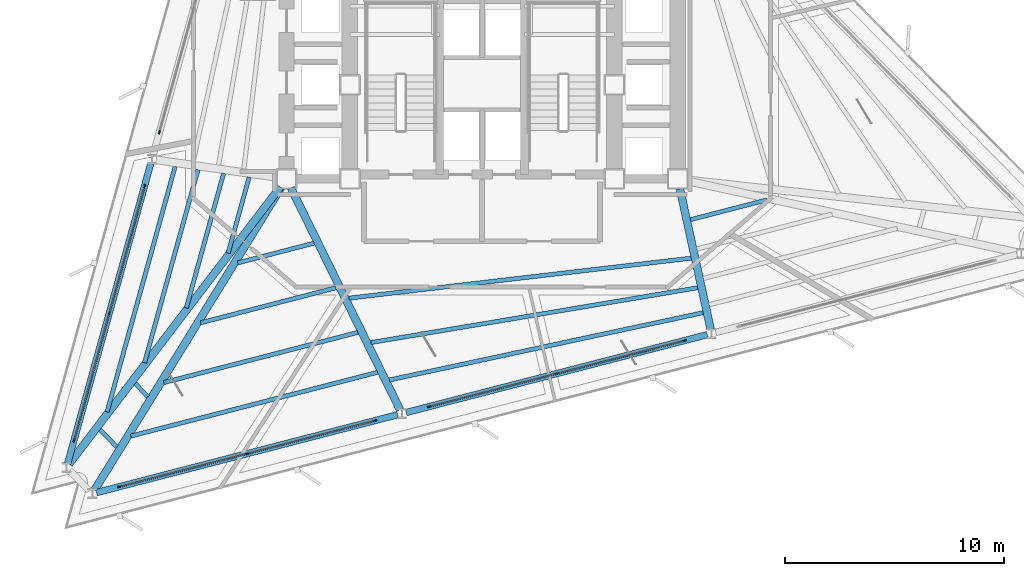
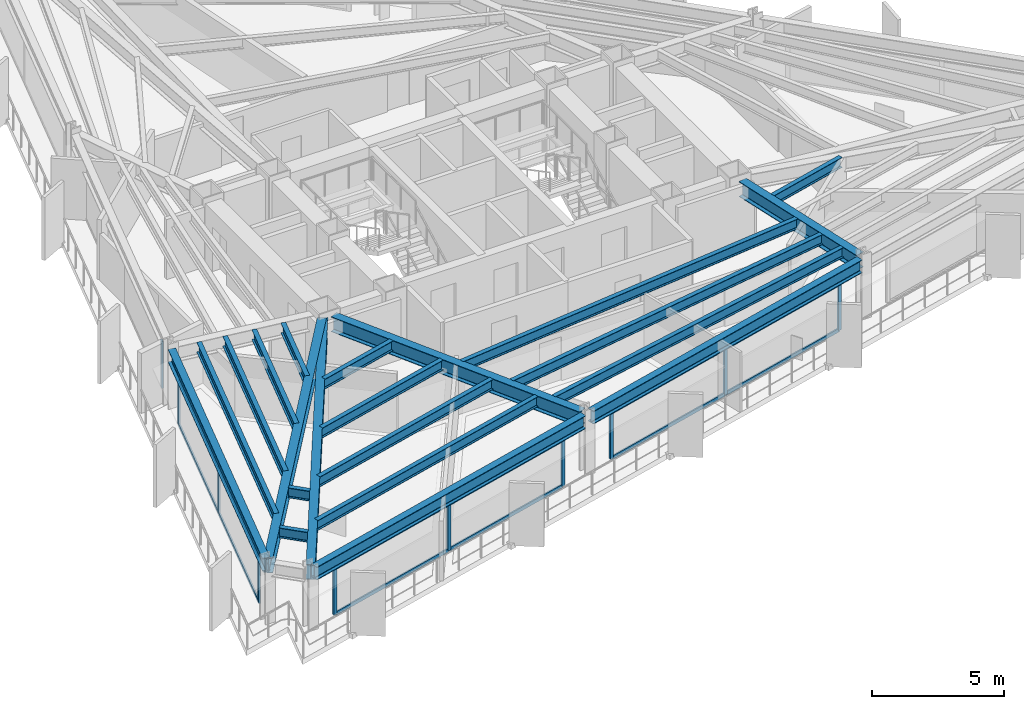
# One storey, part 2 of 11: 22 members, 21 beams, 4 elements without a shape of their own.
"""IFC4 building model written with IfcOpenShell, lengths in metres."""

from ifc_helpers import new_model, si_unit, direction, frame, origin, origin_2d, place, context, subcontext, project, spatial, rectangle, i_section, extrude, material, layer, layer_set, material_profile, profile_set, type_object, element, aggregate, save


model = new_model("IFC4")

# Units and contexts
model_context = context("Model", 3, precision=1e-05, world=origin(), true_north=direction((0.0, 1.0)))
body_context = subcontext(model_context, "Body", "Model", "MODEL_VIEW")
ifc_project = project(units=[si_unit("LENGTHUNIT", "METRE"), si_unit("AREAUNIT", "SQUARE_METRE"), si_unit("VOLUMEUNIT", "CUBIC_METRE"), si_unit("PLANEANGLEUNIT", "RADIAN"), si_unit("MASSUNIT", "GRAM", prefix="KILO")], contexts=[model_context])

# Site, building, storey
site_placement = place(None, origin())
site = spatial("IfcSite", under=ifc_project, at=site_placement, CompositionType="ELEMENT")
building_placement = place(site_placement, origin())
building = spatial("IfcBuilding", under=site, at=building_placement, Name="Rocaltana Carrier Exchange", CompositionType="ELEMENT")
storey_placement = place(building_placement, frame((0.0, 0.0, 82.56005859375)))
storey = spatial("IfcBuildingStorey", under=building, at=storey_placement, Name="L25", CompositionType="ELEMENT", Elevation=82.56005859375)

# Curtain wall, member
ifc_material_1 = material(Name="Aluminium 6063-T6", Category="aluminium")
ifc_layer = layer(ifc_material_1, 0.1650390625)
ifc_layer_set = layer_set([ifc_layer], Name="Aluminium 6063-T6")
curtain_wall_type = type_object("IfcCurtainWallType", Name="Lower-Mid Stepped Curtain Wall CW-02", PredefinedType="NOTDEFINED", material=ifc_layer_set)
curtain_wall_1_placement = place(storey_placement, origin())
curtain_wall_1 = element("IfcCurtainWall", 1, at=curtain_wall_1_placement, inside=storey, type_object=curtain_wall_type, Name="L25 CW-02 Run CW-L25-F2S2", PredefinedType="NOTDEFINED")
ifc_material_2 = material(Name="Aluminium 6063-T6", Category="aluminium")
ifc_material_profile_1 = material_profile(ifc_material_2, rectangle(XDim=0.06494140625, YDim=0.1650390625, at=origin_2d()), Name="AL-65X165")
ifc_profile_set_1 = profile_set([ifc_material_profile_1], Name="Aluminium 6063-T6")
member_type_1 = type_object("IfcMemberType", Name="CW-02 Mullion AL-65X165", PredefinedType="MULLION", material=ifc_profile_set_1)
member_1_placement = place(storey_placement, frame((-14.761962890625, -2.16796875, 0.0), z_axis=(0.0, 0.0, 1.0), x_axis=(0.963630586954, -0.267237893807, 0.0)))
member_1 = element("IfcMember", 2, at=member_1_placement, type_object=member_type_1, Name="CW-02 mullion 3", PredefinedType="MULLION", context=body_context, shape_type="SweptSolid", body=[
    extrude(rectangle(XDim=0.06494140625, YDim=0.1650390625, at=origin_2d()), origin(), (0.0, 0.0, 1.0), 2.16796875),
])
aggregate(curtain_wall_1, [member_1])

# Curtain wall, members
curtain_wall_2_placement = place(storey_placement, origin())
curtain_wall_2 = element("IfcCurtainWall", 3, at=curtain_wall_2_placement, inside=storey, type_object=curtain_wall_type, Name="L25 CW-02 Run CW-L25-F2S3", PredefinedType="NOTDEFINED")
member_2_placement = place(storey_placement, frame((-15.447265625, -4.6396484375, 0.0), z_axis=(0.0, 0.0, 1.0), x_axis=(0.963629053146, -0.267243424491, 0.0)))
member_2 = element("IfcMember", 4, at=member_2_placement, type_object=member_type_1, Name="CW-02 mullion 1", PredefinedType="MULLION", context=body_context, shape_type="SweptSolid", body=[
    extrude(rectangle(XDim=0.06494140625, YDim=0.1650390625, at=origin_2d()), origin(), (0.0, 0.0, 1.0), 2.16796875),
])
member_3_placement = place(storey_placement, frame((-17.059814453125, -10.45458984375, 0.0), z_axis=(0.0, 0.0, 1.0), x_axis=(0.963629053146, -0.267243424491, 0.0)))
member_3 = element("IfcMember", 5, at=member_3_placement, type_object=member_type_1, Name="CW-02 mullion 2", PredefinedType="MULLION", context=body_context, shape_type="SweptSolid", body=[
    extrude(rectangle(XDim=0.06494140625, YDim=0.1650390625, at=origin_2d()), origin(), (0.0, 0.0, 1.0), 2.16796875),
])
member_4_placement = place(storey_placement, frame((-18.672607421875, -16.269287109375, 0.0), z_axis=(0.0, 0.0, 1.0), x_axis=(0.963629053146, -0.267243424491, 0.0)))
member_4 = element("IfcMember", 6, at=member_4_placement, type_object=member_type_1, Name="CW-02 mullion 3", PredefinedType="MULLION", context=body_context, shape_type="SweptSolid", body=[
    extrude(rectangle(XDim=0.06494140625, YDim=0.1650390625, at=origin_2d()), origin(), (0.0, 0.0, 1.0), 2.16796875),
])

curtain_wall_3_placement = place(storey_placement, origin())
curtain_wall_3 = element("IfcCurtainWall", 7, at=curtain_wall_3_placement, inside=storey, type_object=curtain_wall_type, Name="L25 CW-02 Run CW-L25-F3S1", PredefinedType="NOTDEFINED")
member_5_placement = place(storey_placement, frame((-16.592529296875, -18.3857421875, 0.0), z_axis=(0.0, 0.0, 1.0), x_axis=(-0.250377760692, 0.968148220548, 0.0)))
member_5 = element("IfcMember", 8, at=member_5_placement, type_object=member_type_1, Name="CW-02 mullion 1", PredefinedType="MULLION", context=body_context, shape_type="SweptSolid", body=[
    extrude(rectangle(XDim=0.06494140625, YDim=0.1650390625, at=origin_2d()), origin(), (0.0, 0.0, 1.0), 2.16796875),
])
member_6_placement = place(storey_placement, frame((-10.75048828125, -16.874755859375, 0.0), z_axis=(0.0, 0.0, 1.0), x_axis=(-0.250377760692, 0.968148220548, 0.0)))
member_6 = element("IfcMember", 9, at=member_6_placement, type_object=member_type_1, Name="CW-02 mullion 2", PredefinedType="MULLION", context=body_context, shape_type="SweptSolid", body=[
    extrude(rectangle(XDim=0.06494140625, YDim=0.1650390625, at=origin_2d()), origin(), (0.0, 0.0, 1.0), 2.16796875),
])
member_7_placement = place(storey_placement, frame((-4.90869140625, -15.364013671875, 0.0), z_axis=(0.0, 0.0, 1.0), x_axis=(-0.250377760692, 0.968148220548, 0.0)))
member_7 = element("IfcMember", 10, at=member_7_placement, type_object=member_type_1, Name="CW-02 mullion 3", PredefinedType="MULLION", context=body_context, shape_type="SweptSolid", body=[
    extrude(rectangle(XDim=0.06494140625, YDim=0.1650390625, at=origin_2d()), origin(), (0.0, 0.0, 1.0), 2.16796875),
])

curtain_wall_4_placement = place(storey_placement, origin())
curtain_wall_4 = element("IfcCurtainWall", 11, at=curtain_wall_4_placement, inside=storey, type_object=curtain_wall_type, Name="L25 CW-02 Run CW-L25-F3S2", PredefinedType="NOTDEFINED")
member_8_placement = place(storey_placement, frame((-2.42529296875, -14.7216796875, 0.0), z_axis=(0.0, 0.0, 1.0), x_axis=(-0.250377760692, 0.968148220548, 0.0)))
member_8 = element("IfcMember", 12, at=member_8_placement, type_object=member_type_1, Name="CW-02 mullion 1", PredefinedType="MULLION", context=body_context, shape_type="SweptSolid", body=[
    extrude(rectangle(XDim=0.06494140625, YDim=0.1650390625, at=origin_2d()), origin(), (0.0, 0.0, 1.0), 2.16796875),
])
member_9_placement = place(storey_placement, frame((3.41650390625, -13.2109375, 0.0), z_axis=(0.0, 0.0, 1.0), x_axis=(-0.250377760692, 0.968148220548, 0.0)))
member_9 = element("IfcMember", 13, at=member_9_placement, type_object=member_type_1, Name="CW-02 mullion 2", PredefinedType="MULLION", context=body_context, shape_type="SweptSolid", body=[
    extrude(rectangle(XDim=0.06494140625, YDim=0.1650390625, at=origin_2d()), origin(), (0.0, 0.0, 1.0), 2.16796875),
])
member_10_placement = place(storey_placement, frame((9.258544921875, -11.7001953125, 0.0), z_axis=(0.0, 0.0, 1.0), x_axis=(-0.250377760692, 0.968148220548, 0.0)))
member_10 = element("IfcMember", 14, at=member_10_placement, type_object=member_type_1, Name="CW-02 mullion 3", PredefinedType="MULLION", context=body_context, shape_type="SweptSolid", body=[
    extrude(rectangle(XDim=0.06494140625, YDim=0.1650390625, at=origin_2d()), origin(), (0.0, 0.0, 1.0), 2.16796875),
])

# Member
ifc_material_3 = material(Name="Aluminium 6063-T6", Category="aluminium")
ifc_material_profile_2 = material_profile(ifc_material_3, rectangle(XDim=0.06494140625, YDim=0.1650390625, at=origin_2d()), Name="AL-65X165")
ifc_profile_set_2 = profile_set([ifc_material_profile_2], Name="Aluminium 6063-T6")
member_type_2 = type_object("IfcMemberType", Name="CW-02 Transom AL-65X165", PredefinedType="USERDEFINED", material=ifc_profile_set_2)
member_11_placement = place(storey_placement, frame((-15.4560546875, -4.671142578125, 0.032470703125), z_axis=(-0.26724725359, -0.963627991213, 0.0), x_axis=(0.963627991213, -0.26724725359, 0.0)))
member_11 = element("IfcMember", 15, at=member_11_placement, type_object=member_type_2, Name="CW-02 transom 1.1", ObjectType="TRANSOM", PredefinedType="USERDEFINED", context=body_context, shape_type="SweptSolid", body=[
    extrude(rectangle(XDim=0.06494140625, YDim=0.1650390625, at=origin_2d()), origin(), (0.0, 0.0, 1.0), 5.968994140625),
])

member_12_placement = place(storey_placement, frame((-15.4560546875, -4.671142578125, 2.135498046875), z_axis=(-0.26724725359, -0.963627991213, 0.0), x_axis=(0.963627991213, -0.26724725359, 0.0)))
member_12 = element("IfcMember", 16, at=member_12_placement, type_object=member_type_2, Name="CW-02 transom 1.2", ObjectType="TRANSOM", PredefinedType="USERDEFINED", context=body_context, shape_type="SweptSolid", body=[
    extrude(rectangle(XDim=0.06494140625, YDim=0.1650390625, at=origin_2d()), origin(), (0.0, 0.0, 1.0), 5.968994140625),
])

member_13_placement = place(storey_placement, frame((-17.068603515625, -10.48583984375, 0.032470703125), z_axis=(-0.267236720875, -0.963630912235, 0.0), x_axis=(0.963630912235, -0.267236720875, 0.0)))
member_13 = element("IfcMember", 17, at=member_13_placement, type_object=member_type_2, Name="CW-02 transom 2.1", ObjectType="TRANSOM", PredefinedType="USERDEFINED", context=body_context, shape_type="SweptSolid", body=[
    extrude(rectangle(XDim=0.06494140625, YDim=0.1650390625, at=origin_2d()), origin(), (0.0, 0.0, 1.0), 5.96923828125),
])

member_14_placement = place(storey_placement, frame((-17.068603515625, -10.48583984375, 2.135498046875), z_axis=(-0.267236720875, -0.963630912235, 0.0), x_axis=(0.963630912235, -0.267236720875, 0.0)))
member_14 = element("IfcMember", 18, at=member_14_placement, type_object=member_type_2, Name="CW-02 transom 2.2", ObjectType="TRANSOM", PredefinedType="USERDEFINED", context=body_context, shape_type="SweptSolid", body=[
    extrude(rectangle(XDim=0.06494140625, YDim=0.1650390625, at=origin_2d()), origin(), (0.0, 0.0, 1.0), 5.96923828125),
])

aggregate(curtain_wall_2, [member_2, member_3, member_4, member_11, member_12, member_13, member_14])

member_15_placement = place(storey_placement, frame((-16.56103515625, -18.37744140625, 0.032470703125), z_axis=(0.968154945337, 0.250351756175, 0.0), x_axis=(-0.250351756175, 0.968154945337, 0.0)))
member_15 = element("IfcMember", 19, at=member_15_placement, type_object=member_type_2, Name="CW-02 transom 1.1", ObjectType="TRANSOM", PredefinedType="USERDEFINED", context=body_context, shape_type="SweptSolid", body=[
    extrude(rectangle(XDim=0.06494140625, YDim=0.1650390625, at=origin_2d()), origin(), (0.0, 0.0, 1.0), 5.96923828125),
])

member_16_placement = place(storey_placement, frame((-16.56103515625, -18.37744140625, 2.135498046875), z_axis=(0.968154945337, 0.250351756175, 0.0), x_axis=(-0.250351756175, 0.968154945337, 0.0)))
member_16 = element("IfcMember", 20, at=member_16_placement, type_object=member_type_2, Name="CW-02 transom 1.2", ObjectType="TRANSOM", PredefinedType="USERDEFINED", context=body_context, shape_type="SweptSolid", body=[
    extrude(rectangle(XDim=0.06494140625, YDim=0.1650390625, at=origin_2d()), origin(), (0.0, 0.0, 1.0), 5.96923828125),
])

member_17_placement = place(storey_placement, frame((-10.71923828125, -16.86669921875, 0.032470703125), z_axis=(0.968145031253, 0.250390092575, 0.0), x_axis=(-0.250390092575, 0.968145031253, 0.0)))
member_17 = element("IfcMember", 21, at=member_17_placement, type_object=member_type_2, Name="CW-02 transom 2.1", ObjectType="TRANSOM", PredefinedType="USERDEFINED", context=body_context, shape_type="SweptSolid", body=[
    extrude(rectangle(XDim=0.06494140625, YDim=0.1650390625, at=origin_2d()), origin(), (0.0, 0.0, 1.0), 5.96923828125),
])

member_18_placement = place(storey_placement, frame((-10.71923828125, -16.86669921875, 2.135498046875), z_axis=(0.968145031253, 0.250390092575, 0.0), x_axis=(-0.250390092575, 0.968145031253, 0.0)))
member_18 = element("IfcMember", 22, at=member_18_placement, type_object=member_type_2, Name="CW-02 transom 2.2", ObjectType="TRANSOM", PredefinedType="USERDEFINED", context=body_context, shape_type="SweptSolid", body=[
    extrude(rectangle(XDim=0.06494140625, YDim=0.1650390625, at=origin_2d()), origin(), (0.0, 0.0, 1.0), 5.96923828125),
])

aggregate(curtain_wall_3, [member_5, member_6, member_7, member_15, member_16, member_17, member_18])

member_19_placement = place(storey_placement, frame((-2.393798828125, -14.713623046875, 0.032470703125), z_axis=(0.968145031253, 0.250390092575, 0.0), x_axis=(-0.250390092575, 0.968145031253, 0.0)))
member_19 = element("IfcMember", 23, at=member_19_placement, type_object=member_type_2, Name="CW-02 transom 1.1", ObjectType="TRANSOM", PredefinedType="USERDEFINED", context=body_context, shape_type="SweptSolid", body=[
    extrude(rectangle(XDim=0.06494140625, YDim=0.1650390625, at=origin_2d()), origin(), (0.0, 0.0, 1.0), 5.96923828125),
])

member_20_placement = place(storey_placement, frame((-2.393798828125, -14.713623046875, 2.135498046875), z_axis=(0.968145031253, 0.250390092575, 0.0), x_axis=(-0.250390092575, 0.968145031253, 0.0)))
member_20 = element("IfcMember", 24, at=member_20_placement, type_object=member_type_2, Name="CW-02 transom 1.2", ObjectType="TRANSOM", PredefinedType="USERDEFINED", context=body_context, shape_type="SweptSolid", body=[
    extrude(rectangle(XDim=0.06494140625, YDim=0.1650390625, at=origin_2d()), origin(), (0.0, 0.0, 1.0), 5.96923828125),
])

member_21_placement = place(storey_placement, frame((3.447998046875, -13.202880859375, 0.032470703125), z_axis=(0.968145031253, 0.250390092575, 0.0), x_axis=(-0.250390092575, 0.968145031253, 0.0)))
member_21 = element("IfcMember", 25, at=member_21_placement, type_object=member_type_2, Name="CW-02 transom 2.1", ObjectType="TRANSOM", PredefinedType="USERDEFINED", context=body_context, shape_type="SweptSolid", body=[
    extrude(rectangle(XDim=0.06494140625, YDim=0.1650390625, at=origin_2d()), origin(), (0.0, 0.0, 1.0), 5.96923828125),
])

member_22_placement = place(storey_placement, frame((3.447998046875, -13.202880859375, 2.135498046875), z_axis=(0.968145031253, 0.250390092575, 0.0), x_axis=(-0.250390092575, 0.968145031253, 0.0)))
member_22 = element("IfcMember", 26, at=member_22_placement, type_object=member_type_2, Name="CW-02 transom 2.2", ObjectType="TRANSOM", PredefinedType="USERDEFINED", context=body_context, shape_type="SweptSolid", body=[
    extrude(rectangle(XDim=0.06494140625, YDim=0.1650390625, at=origin_2d()), origin(), (0.0, 0.0, 1.0), 5.96923828125),
])

aggregate(curtain_wall_4, [member_8, member_9, member_10, member_19, member_20, member_21, member_22])

# Beams
ifc_material_4 = material(Name="Steel S355", Category="steel")
ifc_material_profile_3 = material_profile(ifc_material_4, i_section(OverallWidth=0.193115234375, OverallDepth=0.466064453125, WebThickness=0.011474609375, FlangeThickness=0.01904296875, FilletRadius=0.013916015625, at=origin_2d()), Name="W18X65")
ifc_profile_set_3 = profile_set([ifc_material_profile_3], Name="Steel S355")
beam_type_1 = type_object("IfcBeamType", Name="Floor Joist W18X65", PredefinedType="JOIST", material=ifc_profile_set_3)
beam_1_placement = place(storey_placement, frame((-10.65771484375, -4.223388671875, 2.554931640625), z_axis=(-0.267214572506, -0.963637054207, 0.0), x_axis=(0.963637054207, -0.267214572506, 0.0)))
element("IfcBeam", 27, at=beam_1_placement, inside=storey, type_object=beam_type_1, Name="FJ-L25-07-1", PredefinedType="JOIST", context=body_context, shape_type="SweptSolid", body=[
    extrude(i_section(OverallWidth=0.193115234375, OverallDepth=0.466064453125, WebThickness=0.011474609375, FlangeThickness=0.01904296875, FilletRadius=0.013916015625, at=origin_2d()), origin(), (0.0, 0.0, 1.0), 3.60791015625),
])
beam_2_placement = place(storey_placement, frame((-11.826904296875, -4.052978515625, 2.554931640625), z_axis=(-0.267247660275, -0.963627878425, 0.0), x_axis=(0.963627878425, -0.267247660275, 0.0)))
element("IfcBeam", 28, at=beam_2_placement, inside=storey, type_object=beam_type_1, Name="FJ-L25-07-2", PredefinedType="JOIST", context=body_context, shape_type="SweptSolid", body=[
    extrude(i_section(OverallWidth=0.193115234375, OverallDepth=0.466064453125, WebThickness=0.011474609375, FlangeThickness=0.01904296875, FilletRadius=0.013916015625, at=origin_2d()), origin(), (0.0, 0.0, 1.0), 6.388427734375),
])
beam_3_placement = place(storey_placement, frame((-12.996337890625, -3.8828125, 2.554931640625), z_axis=(-0.267235954776, -0.963631124692, 0.0), x_axis=(0.963631124692, -0.267235954776, 0.0)))
element("IfcBeam", 29, at=beam_3_placement, inside=storey, type_object=beam_type_1, Name="FJ-L25-07-3", PredefinedType="JOIST", context=body_context, shape_type="SweptSolid", body=[
    extrude(i_section(OverallWidth=0.193115234375, OverallDepth=0.466064453125, WebThickness=0.011474609375, FlangeThickness=0.01904296875, FilletRadius=0.013916015625, at=origin_2d()), origin(), (0.0, 0.0, 1.0), 9.168701171875),
])
beam_4_placement = place(storey_placement, frame((-14.04248046875, -3.73046875, 2.554931640625), z_axis=(-0.267254953873, -0.963625855626, 0.0), x_axis=(0.963625855626, -0.267254953873, 0.0)))
element("IfcBeam", 30, at=beam_4_placement, inside=storey, type_object=beam_type_1, Name="FJ-L25-07-4", PredefinedType="JOIST", context=body_context, shape_type="SweptSolid", body=[
    extrude(i_section(OverallWidth=0.193115234375, OverallDepth=0.466064453125, WebThickness=0.011474609375, FlangeThickness=0.01904296875, FilletRadius=0.013916015625, at=origin_2d()), origin(), (0.0, 0.0, 1.0), 11.656494140625),
])
beam_5_placement = place(storey_placement, frame((-15.87548828125, -13.666015625, 2.554931640625), z_axis=(0.700949450069, -0.713210956484, 0.0), x_axis=(0.713210956484, 0.700949450069, 0.0)))
element("IfcBeam", 31, at=beam_5_placement, inside=storey, type_object=beam_type_1, Name="FJ-L25-08-3", PredefinedType="JOIST", context=body_context, shape_type="SweptSolid", body=[
    extrude(i_section(OverallWidth=0.193115234375, OverallDepth=0.466064453125, WebThickness=0.011474609375, FlangeThickness=0.01904296875, FilletRadius=0.013916015625, at=origin_2d()), origin(), (0.0, 0.0, 1.0), 0.836181640625),
])
beam_6_placement = place(storey_placement, frame((-17.48583984375, -15.77880859375, 2.554931640625), z_axis=(0.70100898123, -0.713152443896, 0.0), x_axis=(0.713152443896, 0.70100898123, 0.0)))
element("IfcBeam", 32, at=beam_6_placement, inside=storey, type_object=beam_type_1, Name="FJ-L25-08-4", PredefinedType="JOIST", context=body_context, shape_type="SweptSolid", body=[
    extrude(i_section(OverallWidth=0.193115234375, OverallDepth=0.466064453125, WebThickness=0.011474609375, FlangeThickness=0.01904296875, FilletRadius=0.013916015625, at=origin_2d()), origin(), (0.0, 0.0, 1.0), 1.105712890625),
])
beam_7_placement = place(storey_placement, frame((-11.1826171875, -8.14697265625, 2.554931640625), z_axis=(0.968131920636, 0.250440779917, 0.0), x_axis=(-0.250440779917, 0.968131920636, 0.0)))
element("IfcBeam", 33, at=beam_7_placement, inside=storey, type_object=beam_type_1, Name="FJ-L25-09-1", PredefinedType="JOIST", context=body_context, shape_type="SweptSolid", body=[
    extrude(i_section(OverallWidth=0.193115234375, OverallDepth=0.466064453125, WebThickness=0.011474609375, FlangeThickness=0.01904296875, FilletRadius=0.013916015625, at=origin_2d()), origin(), (0.0, 0.0, 1.0), 3.60791015625),
])
beam_8_placement = place(storey_placement, frame((-12.87060546875, -10.88427734375, 2.554931640625), z_axis=(0.968143557315, 0.250395791558, 0.0), x_axis=(-0.250395791558, 0.968143557315, 0.0)))
element("IfcBeam", 34, at=beam_8_placement, inside=storey, type_object=beam_type_1, Name="FJ-L25-09-2", PredefinedType="JOIST", context=body_context, shape_type="SweptSolid", body=[
    extrude(i_section(OverallWidth=0.193115234375, OverallDepth=0.466064453125, WebThickness=0.011474609375, FlangeThickness=0.01904296875, FilletRadius=0.013916015625, at=origin_2d()), origin(), (0.0, 0.0, 1.0), 6.388427734375),
])
beam_9_placement = place(storey_placement, frame((-14.55859375, -13.62158203125, 2.554931640625), z_axis=(0.968140011266, 0.250409501786, 0.0), x_axis=(-0.250409501786, 0.968140011266, 0.0)))
element("IfcBeam", 35, at=beam_9_placement, inside=storey, type_object=beam_type_1, Name="FJ-L25-09-3", PredefinedType="JOIST", context=body_context, shape_type="SweptSolid", body=[
    extrude(i_section(OverallWidth=0.193115234375, OverallDepth=0.466064453125, WebThickness=0.011474609375, FlangeThickness=0.01904296875, FilletRadius=0.013916015625, at=origin_2d()), origin(), (0.0, 0.0, 1.0), 9.16845703125),
])
beam_10_placement = place(storey_placement, frame((-16.069091796875, -16.070556640625, 2.554931640625), z_axis=(0.968149362607, 0.250373344596, 0.0), x_axis=(-0.250373344596, 0.968149362607, 0.0)))
element("IfcBeam", 36, at=beam_10_placement, inside=storey, type_object=beam_type_1, Name="FJ-L25-09-4", PredefinedType="JOIST", context=body_context, shape_type="SweptSolid", body=[
    extrude(i_section(OverallWidth=0.193115234375, OverallDepth=0.466064453125, WebThickness=0.011474609375, FlangeThickness=0.01904296875, FilletRadius=0.013916015625, at=origin_2d()), origin(), (0.0, 0.0, 1.0), 11.656494140625),
])
beam_11_placement = place(storey_placement, frame((-6.085205078125, -9.759033203125, 2.554931640625), z_axis=(0.993245745527, 0.116029690132, 0.0), x_axis=(-0.116029690132, 0.993245745527, 0.0)))
element("IfcBeam", 37, at=beam_11_placement, inside=storey, type_object=beam_type_1, Name="FJ-L25-10-2", PredefinedType="JOIST", context=body_context, shape_type="SweptSolid", body=[
    extrude(i_section(OverallWidth=0.193115234375, OverallDepth=0.466064453125, WebThickness=0.011474609375, FlangeThickness=0.01904296875, FilletRadius=0.013916015625, at=origin_2d()), origin(), (0.0, 0.0, 1.0), 15.761962890625),
])
beam_12_placement = place(storey_placement, frame((-5.082763671875, -11.791748046875, 2.554931640625), z_axis=(0.986215738721, 0.165464548161, 0.0), x_axis=(-0.165464548161, 0.986215738721, 0.0)))
element("IfcBeam", 38, at=beam_12_placement, inside=storey, type_object=beam_type_1, Name="FJ-L25-10-3", PredefinedType="JOIST", context=body_context, shape_type="SweptSolid", body=[
    extrude(i_section(OverallWidth=0.193115234375, OverallDepth=0.466064453125, WebThickness=0.011474609375, FlangeThickness=0.01904296875, FilletRadius=0.013916015625, at=origin_2d()), origin(), (0.0, 0.0, 1.0), 15.15771484375),
])
beam_13_placement = place(storey_placement, frame((-4.239013671875, -13.5029296875, 2.554931640625), z_axis=(0.977758587701, 0.209733507519, 0.0), x_axis=(-0.209733507519, 0.977758587701, 0.0)))
element("IfcBeam", 39, at=beam_13_placement, inside=storey, type_object=beam_type_1, Name="FJ-L25-10-4", PredefinedType="JOIST", context=body_context, shape_type="SweptSolid", body=[
    extrude(i_section(OverallWidth=0.193115234375, OverallDepth=0.466064453125, WebThickness=0.011474609375, FlangeThickness=0.01904296875, FilletRadius=0.013916015625, at=origin_2d()), origin(), (0.0, 0.0, 1.0), 14.680908203125),
])
beam_14_placement = place(storey_placement, frame((9.53466796875, -6.16845703125, 2.554931640625), z_axis=(0.968131920636, 0.250440779917, 0.0), x_axis=(-0.250440779917, 0.968131920636, 0.0)))
element("IfcBeam", 40, at=beam_14_placement, inside=storey, type_object=beam_type_1, Name="FJ-L25-11-1", PredefinedType="JOIST", context=body_context, shape_type="SweptSolid", body=[
    extrude(i_section(OverallWidth=0.193115234375, OverallDepth=0.466064453125, WebThickness=0.011474609375, FlangeThickness=0.01904296875, FilletRadius=0.013916015625, at=origin_2d()), origin(), (0.0, 0.0, 1.0), 3.60791015625),
])
ifc_material_5 = material(Name="Steel S355", Category="steel")
ifc_material_profile_4 = material_profile(ifc_material_5, i_section(OverallWidth=0.35498046875, OverallDepth=0.695068359375, WebThickness=0.015380859375, FlangeThickness=0.02490234375, FilletRadius=0.01806640625, at=origin_2d()), Name="W27X146")
ifc_profile_set_4 = profile_set([ifc_material_profile_4], Name="Steel S355")
beam_type_2 = type_object("IfcBeamType", Name="Radial Girder W27X146", PredefinedType="BEAM", material=ifc_profile_set_4)
beam_15_placement = place(storey_placement, frame((-9.233154296875, -4.67138671875, 2.4404296875), z_axis=(-0.606198298247, -0.795313537671, 0.0), x_axis=(0.795313537671, -0.606198298247, 0.0)))
element("IfcBeam", 41, at=beam_15_placement, inside=storey, type_object=beam_type_2, Name="RG-L25-08", PredefinedType="BEAM", context=body_context, shape_type="SweptSolid", body=[
    extrude(i_section(OverallWidth=0.35498046875, OverallDepth=0.695068359375, WebThickness=0.015380859375, FlangeThickness=0.02490234375, FilletRadius=0.01806640625, at=origin_2d()), origin(), (0.0, 0.0, 1.0), 15.935546875),
])
beam_16_placement = place(storey_placement, frame((-9.195068359375, -4.697509765625, 2.4404296875), z_axis=(-0.524896499974, -0.851166061539, 0.0), x_axis=(0.851166061539, -0.524896499974, 0.0)))
element("IfcBeam", 42, at=beam_16_placement, inside=storey, type_object=beam_type_2, Name="RG-L25-09", PredefinedType="BEAM", context=body_context, shape_type="SweptSolid", body=[
    extrude(i_section(OverallWidth=0.35498046875, OverallDepth=0.695068359375, WebThickness=0.015380859375, FlangeThickness=0.02490234375, FilletRadius=0.01806640625, at=origin_2d()), origin(), (0.0, 0.0, 1.0), 16.2578125),
])
beam_17_placement = place(storey_placement, frame((-8.743896484375, -4.718994140625, 2.4404296875), z_axis=(0.441294565668, -0.897362304932, 0.0), x_axis=(0.897362304932, 0.441294565668, 0.0)))
element("IfcBeam", 43, at=beam_17_placement, inside=storey, type_object=beam_type_2, Name="RG-L25-10", PredefinedType="BEAM", context=body_context, shape_type="SweptSolid", body=[
    extrude(i_section(OverallWidth=0.35498046875, OverallDepth=0.695068359375, WebThickness=0.015380859375, FlangeThickness=0.02490234375, FilletRadius=0.01806640625, at=origin_2d()), origin(), (0.0, 0.0, 1.0), 11.3037109375),
])
beam_18_placement = place(storey_placement, frame((9.0498046875, -4.756103515625, 2.4404296875), z_axis=(0.213939245944, -0.976846968079, 0.0), x_axis=(0.976846968079, 0.213939245944, 0.0)))
element("IfcBeam", 44, at=beam_18_placement, inside=storey, type_object=beam_type_2, Name="RG-L25-11", PredefinedType="BEAM", context=body_context, shape_type="SweptSolid", body=[
    extrude(i_section(OverallWidth=0.35498046875, OverallDepth=0.695068359375, WebThickness=0.015380859375, FlangeThickness=0.02490234375, FilletRadius=0.01806640625, at=origin_2d()), origin(), (0.0, 0.0, 1.0), 6.578857421875),
])
ifc_material_6 = material(Name="Steel S355", Category="steel")
ifc_material_profile_5 = material_profile(ifc_material_6, i_section(OverallWidth=0.300048828125, OverallDepth=0.60009765625, WebThickness=0.015380859375, FlangeThickness=0.030029296875, FilletRadius=0.027099609375, at=origin_2d()), Name="HEB600")
ifc_profile_set_5 = profile_set([ifc_material_profile_5], Name="Steel S355")
beam_type_3 = type_object("IfcBeamType", Name="Spandrel Edge Beam HEB600", PredefinedType="SPANDREL", material=ifc_profile_set_5)
beam_19_placement = place(storey_placement, frame((-15.158203125, -3.59765625, 2.488037109375), z_axis=(-0.267244796471, -0.963628672653, 0.0), x_axis=(0.963628672653, -0.267244796471, 0.0)))
element("IfcBeam", 45, at=beam_19_placement, inside=storey, type_object=beam_type_3, Name="SP-L25-07", PredefinedType="SPANDREL", context=body_context, shape_type="SweptSolid", body=[
    extrude(i_section(OverallWidth=0.300048828125, OverallDepth=0.60009765625, WebThickness=0.015380859375, FlangeThickness=0.030029296875, FilletRadius=0.027099609375, at=origin_2d()), origin(), (0.0, 0.0, 1.0), 14.231201171875),
])
for number, where, z_axis, x_axis, name in (
    (46, (-17.6396484375, -18.656494140625, 2.488037109375), (0.968147987083, 0.250378663444, 0.0), (-0.250378663444, 0.968147987083, 0.0), "SP-L25-09"),
    (47, (-3.472412109375, -14.99267578125, 2.488037109375), (0.968143828509, 0.250394742995, 0.0), (-0.250394742995, 0.968143828509, 0.0), "SP-L25-10"),
):
    element("IfcBeam", number, at=place(storey_placement, frame(where, z_axis=z_axis, x_axis=x_axis)), inside=storey, type_object=beam_type_3, Name=name, PredefinedType="SPANDREL", context=body_context, shape_type="SweptSolid", body=[
        extrude(i_section(OverallWidth=0.300048828125, OverallDepth=0.60009765625, WebThickness=0.015380859375, FlangeThickness=0.030029296875, FilletRadius=0.027099609375, at=origin_2d()), origin(), (0.0, 0.0, 1.0), 14.2314453125),
    ])

save(model, "model.ifc")
